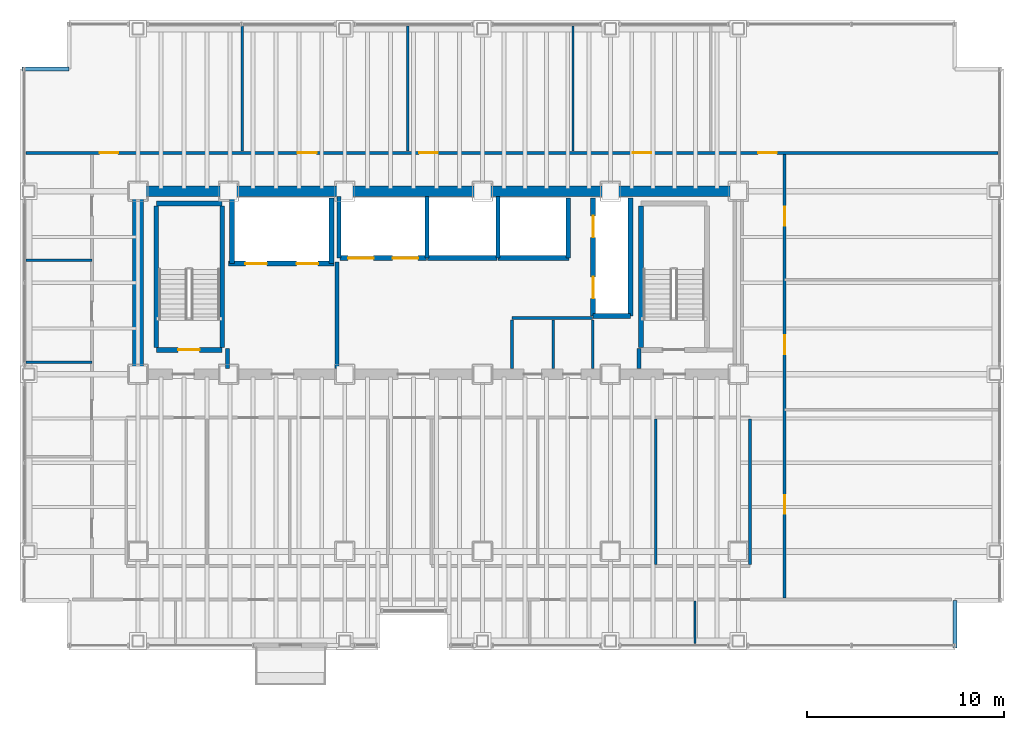
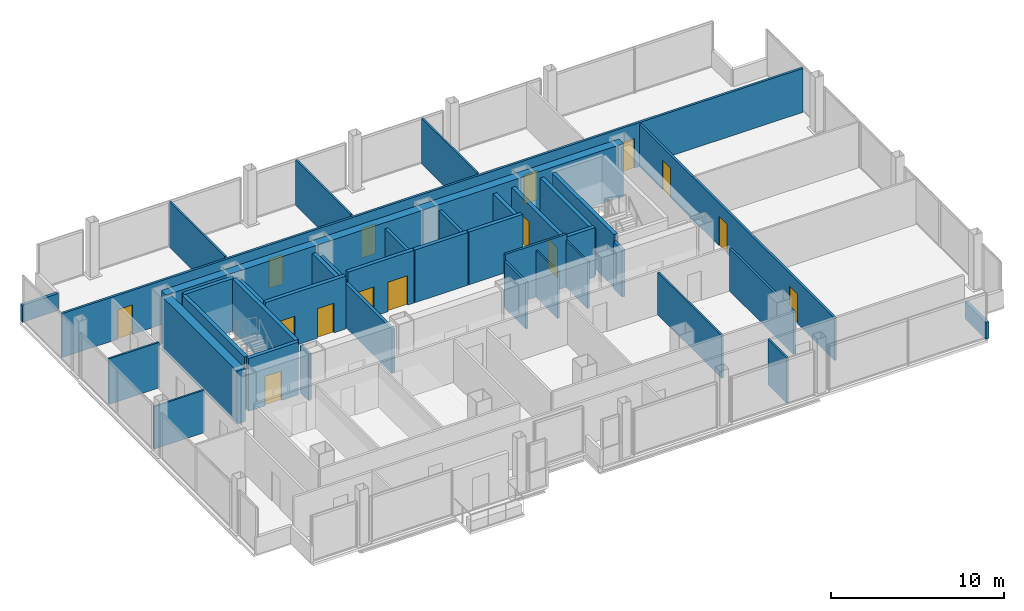
# One storey, part 18 of 20: 39 walls, 15 doors, 15 openings.
"""IFC4 building model written with IfcOpenShell, lengths in metres."""

import ifcopenshell
import ifcopenshell.guid

model = None  # the IFC model being written
_history = None  # IfcOwnerHistory: only IFC2X3 demands one
_inside = {}  # id of a spatial element -> (the spatial element, [elements in it])
_under = {}  # id of a project, library or spatial element -> (it, [spatial elements below it])
_declared = {}  # id of a project -> (the project, [libraries it declares])
_typed = {}  # id of a type object -> (the type object, [elements of that type])
_made_of = {}  # id of a material, layer set ... -> (it, [elements and type objects made of it])


def new_model(schema):
    """Start an empty IFC model of exactly this schema.

    Asked for "IFC4X3", IfcOpenShell would pick the latest addendum, in which some entities
    have other attributes; the version numbers below select the first issue.
    IFC2X3 requires an IfcOwnerHistory on every rooted entity: one is made here for all.
    """
    global model, _history
    if schema == "IFC4X3":
        model = ifcopenshell.file(schema_version=(4, 3, 0, 0))
    else:
        model = ifcopenshell.file(schema=schema)
    _inside.clear()
    _under.clear()
    _declared.clear()
    _typed.clear()
    _made_of.clear()
    _history = None
    if model.schema == "IFC2X3":
        org = make("IfcOrganization", Name="unknown")
        user = make(
            "IfcPersonAndOrganization",
            ThePerson=make("IfcPerson", FamilyName="unknown"),
            TheOrganization=org,
        )
        app = make(
            "IfcApplication",
            ApplicationDeveloper=org,
            Version="unknown",
            ApplicationFullName="unknown",
            ApplicationIdentifier="unknown",
        )
        _history = make(
            "IfcOwnerHistory",
            OwningUser=user,
            OwningApplication=app,
            ChangeAction="ADDED",
            CreationDate=0,
        )
    return model


def make(cls, **values):
    """One entity of the class cls with the attributes given. An attribute that is None is left unset."""
    return model.create_entity(
        cls, **{name: value for name, value in values.items() if value is not None}
    )


def rooted(cls, **values):
    """An entity with a GlobalId (a new one), such as an element, a storey or a relation."""
    return make(cls, GlobalId=ifcopenshell.guid.new(), OwnerHistory=_history, **values)


def si_unit(unit_type, name, prefix=None):
    """IfcSIUnit, for example si_unit("LENGTHUNIT", "METRE", prefix="MILLI")."""
    return make("IfcSIUnit", UnitType=unit_type, Prefix=prefix, Name=name)


def assignment(units):
    """IfcUnitAssignment: the units of a project."""
    return None if units is None else make("IfcUnitAssignment", Units=units)


def point(xyz):
    """IfcCartesianPoint."""
    return None if xyz is None else make("IfcCartesianPoint", Coordinates=xyz)


def direction(xyz):
    """IfcDirection."""
    return None if xyz is None else make("IfcDirection", DirectionRatios=xyz)


def frame(location, z_axis=None, x_axis=None):
    """IfcAxis2Placement3D, a coordinate frame: its origin and axes. An axis left out is left unset."""
    return make(
        "IfcAxis2Placement3D",
        Location=point(location),
        Axis=direction(z_axis),
        RefDirection=direction(x_axis),
    )


def frame_2d(location, x_axis=None):
    """IfcAxis2Placement2D, a coordinate frame in the plane: its origin and x axis."""
    return make(
        "IfcAxis2Placement2D", Location=point(location), RefDirection=direction(x_axis)
    )


def origin():
    """The frame at (0, 0, 0) with its axes left unset."""
    return frame((0.0, 0.0, 0.0))


def place(relative_to, where):
    """IfcLocalPlacement: puts the frame where relative to a parent placement (None: the world)."""
    return make(
        "IfcLocalPlacement", PlacementRelTo=relative_to, RelativePlacement=where
    )


def context(
    kind, dimensions, precision=None, world=None, true_north=None, identifier=None
):
    """IfcGeometricRepresentationContext, for example the 3D "Model" context."""
    return make(
        "IfcGeometricRepresentationContext",
        ContextIdentifier=identifier,
        ContextType=kind,
        CoordinateSpaceDimension=dimensions,
        Precision=precision,
        WorldCoordinateSystem=world,
        TrueNorth=true_north,
    )


def subcontext(parent, identifier, kind, view, scale=None):
    """IfcGeometricRepresentationSubContext, for example "Body" below "Model"."""
    return make(
        "IfcGeometricRepresentationSubContext",
        ContextIdentifier=identifier,
        ContextType=kind,
        ParentContext=parent,
        TargetScale=scale,
        TargetView=view,
    )


def project(units=None, contexts=None):
    """IfcProject with its units and contexts."""
    return rooted(
        "IfcProject",
        Name="project",
        RepresentationContexts=contexts,
        UnitsInContext=assignment(units),
    )


def spatial(cls, under=None, at=None, **own):
    """A site, building, storey or space (cls), placed at a placement, below another one or the project."""
    s = rooted(cls, ObjectPlacement=at, **own)
    if under is not None:
        _under.setdefault(under.id(), (under, []))[1].append(s)
    return s


def profile(cls, at=None, kind="AREA", **sizes):
    """A parametric profile (cls). Its sizes go by their IFC names, for example OverallWidth=200.0."""
    return make(cls, ProfileType=kind, Position=at, **sizes)


def rectangle(**sizes):
    """IfcRectangleProfileDef."""
    return profile("IfcRectangleProfileDef", **sizes)


def extrude(swept, where, along, depth):
    """IfcExtrudedAreaSolid: the profile swept, set in the frame where, extruded along a direction by depth."""
    return make(
        "IfcExtrudedAreaSolid",
        SweptArea=swept,
        Position=where,
        ExtrudedDirection=direction(along),
        Depth=depth,
    )


def shape(context_of_items, identifier, shape_type, items):
    """IfcShapeRepresentation: the items that make up one representation, for example the "Body"."""
    return make(
        "IfcShapeRepresentation",
        ContextOfItems=context_of_items,
        RepresentationIdentifier=identifier,
        RepresentationType=shape_type,
        Items=items,
    )


def material(Name=None, Category=None):
    """IfcMaterial."""
    return make("IfcMaterial", Name=Name, Category=Category)


def layer(
    of_material, thickness, ventilated=None, Name=None, Category=None, Priority=None
):
    """IfcMaterialLayer: one layer of a wall or slab, of a material (None: an air gap)."""
    return make(
        "IfcMaterialLayer",
        Material=of_material,
        LayerThickness=thickness,
        IsVentilated=ventilated,
        Name=Name,
        Category=Category,
        Priority=Priority,
    )


def layer_set(layers, Name=None):
    """IfcMaterialLayerSet."""
    return make("IfcMaterialLayerSet", MaterialLayers=layers, LayerSetName=Name)


def made_of(thing, what):
    """Note that an element or type object is made of a material, layer set ...; save() writes the relation."""
    if what is not None:
        _made_of.setdefault(what.id(), (what, []))[1].append(thing)
    return thing


def type_object(cls, material=None, **own):
    """A type object (cls), such as IfcWallType, which elements share."""
    return made_of(rooted(cls, **own), material)


def element(
    cls,
    number,
    at=None,
    inside=None,
    cuts=None,
    type_object=None,
    material=None,
    context=None,
    identifier="Body",
    shape_type=None,
    held_by="IfcProductDefinitionShape",
    body=None,
    shapes=None,
    **own,
):
    """One element of the class cls, such as IfcWall. Its Tag is "e" and its number.

    at: its placement. inside: the storey or other place that contains it. cuts: it is an
    opening in that element (IfcRelVoidsElement). A single representation is given by context,
    identifier, shape_type and body (its items); several are given by shapes. held_by: the class
    of the entity that holds the representations. save() writes the other relations.
    """
    e = rooted(cls, Tag="e%d" % number, ObjectPlacement=at, **own)
    if body is not None:
        shapes = [shape(context, identifier, shape_type, body)]
    if shapes is not None:
        e.Representation = make(held_by, Representations=shapes)
    if inside is not None:
        _inside.setdefault(inside.id(), (inside, []))[1].append(e)
    if cuts is not None:
        rooted(
            "IfcRelVoidsElement", RelatingBuildingElement=cuts, RelatedOpeningElement=e
        )
    if type_object is not None:
        _typed.setdefault(type_object.id(), (type_object, []))[1].append(e)
    return made_of(e, material)


def fill(opening, filler):
    """IfcRelFillsElement: the door or window that sits in an opening."""
    return rooted(
        "IfcRelFillsElement",
        RelatingOpeningElement=opening,
        RelatedBuildingElement=filler,
    )


def aggregate(whole, parts):
    """IfcRelAggregates: a whole, such as a stair, and the parts it consists of."""
    return rooted("IfcRelAggregates", RelatingObject=whole, RelatedObjects=parts)


def save(model, path):
    """Write the relations noted so far, then the file.

    IfcRelAggregates (storeys below a building ...), IfcRelContainedInSpatialStructure (elements
    in a storey), IfcRelDefinesByType, IfcRelAssociatesMaterial and IfcRelDeclares: one each for
    every whole, place, type object, material and project.
    """
    for whole, parts in _under.values():
        aggregate(whole, parts)
    for where, things in _inside.values():
        rooted(
            "IfcRelContainedInSpatialStructure",
            RelatedElements=things,
            RelatingStructure=where,
        )
    for kind, things in _typed.values():
        rooted("IfcRelDefinesByType", RelatedObjects=things, RelatingType=kind)
    for what, things in _made_of.values():
        rooted("IfcRelAssociatesMaterial", RelatedObjects=things, RelatingMaterial=what)
    for by, libraries in _declared.values():
        rooted("IfcRelDeclares", RelatingContext=by, RelatedDefinitions=libraries)
    model.write(path)


model = new_model("IFC4")

# Units and contexts
model_context = context("Model", 3, precision=1e-05, world=origin(), true_north=direction((0.0, 1.0)))
body_context = subcontext(model_context, "Body", "Model", "MODEL_VIEW")
ifc_project = project(units=[si_unit("LENGTHUNIT", "METRE"), si_unit("AREAUNIT", "SQUARE_METRE"), si_unit("VOLUMEUNIT", "CUBIC_METRE"), si_unit("PLANEANGLEUNIT", "RADIAN"), si_unit("MASSUNIT", "GRAM", prefix="KILO")], contexts=[model_context])

# Site, building, storey
site_placement = place(None, origin())
site = spatial("IfcSite", under=ifc_project, at=site_placement, CompositionType="ELEMENT")
building_placement = place(site_placement, origin())
building = spatial("IfcBuilding", under=site, at=building_placement, Name="Noeulbin Bourse Tower", CompositionType="ELEMENT")
storey_placement = place(building_placement, frame((0.0, 0.0, 61.60009765625)))
storey = spatial("IfcBuildingStorey", under=building, at=storey_placement, Name="L15", CompositionType="ELEMENT", Elevation=61.60009765625)

# Walls
ifc_material_1 = material(Name="Concrete C60/75", Category="concrete")
ifc_layer_1 = layer(ifc_material_1, 0.550048828125)
ifc_layer_set_1 = layer_set([ifc_layer_1], Name="Concrete C60/75")
wall_type_1 = type_object("IfcWallType", Name="WAL-CORE-550", PredefinedType="SHEAR", material=ifc_layer_set_1)
wall_1_placement = place(storey_placement, frame((13.5, 38.300048828125, 0.0), z_axis=(0.0, 0.0, 1.0), x_axis=(1.0, 0.0, 0.0)))
element("IfcWall", 1, at=wall_1_placement, inside=storey, type_object=wall_type_1, Name="Rear Core North Shear Wall L15", PredefinedType="SHEAR", context=body_context, shape_type="SweptSolid", body=[
    extrude(rectangle(XDim=30.5, YDim=0.550048828125, at=frame_2d((15.25, 0.0))), origin(), (0.0, 0.0, 1.0), 3.719970703125),
])
wall_2_placement = place(storey_placement, frame((13.5, 29.35009765625, 0.0), z_axis=(0.0, 0.0, 1.0), x_axis=(0.0, 1.0, 0.0)))
element("IfcWall", 2, at=wall_2_placement, inside=storey, type_object=wall_type_1, Name="Rear Core West Shear Wall L15", PredefinedType="SHEAR", context=body_context, shape_type="SweptSolid", body=[
    extrude(rectangle(XDim=8.599853515625, YDim=0.550048828125, at=frame_2d((4.2998046875, 0.0))), origin(), (0.0, 0.0, 1.0), 3.719970703125),
])
ifc_material_2 = material(Name="Concrete C40/50", Category="concrete")
ifc_layer_2 = layer(ifc_material_2, 0.199951171875)
ifc_layer_set_2 = layer_set([ifc_layer_2], Name="Concrete C40/50")
wall_type_2 = type_object("IfcWallType", Name="WAL-FIRE-200", PredefinedType="STANDARD", material=ifc_layer_set_2)
for number, where, z_axis, x_axis, name in (
    (3, (18.050048828125, 29.284912109375, 0.0), (0.0, 0.0, 1.0), (0.0, 1.0, 0.0), "Interior Partition Wall L15-13"),
    (4, (38.949951171875, 29.284912109375, 0.0), (0.0, 0.0, 1.0), (0.0, 1.0, 0.0), "Interior Partition Wall L15-14"),
):
    element("IfcWall", number, at=place(storey_placement, frame(where, z_axis=z_axis, x_axis=x_axis)), inside=storey, type_object=wall_type_2, Name=name, PredefinedType="STANDARD", context=body_context, shape_type="SweptSolid", body=[
        extrude(rectangle(XDim=1.01513671875, YDim=0.199951171875, at=frame_2d((0.507568359375, 0.0))), origin(), (0.0, 0.0, 1.0), 3.2998046875),
    ])
wall_3_placement = place(storey_placement, frame((23.60009765625, 29.284912109375, 0.0), z_axis=(0.0, 0.0, 1.0), x_axis=(0.0, 1.0, 0.0)))
element("IfcWall", 5, at=wall_3_placement, inside=storey, type_object=wall_type_2, Name="Interior Partition Wall L15-15", PredefinedType="STANDARD", context=body_context, shape_type="SweptSolid", body=[
    extrude(rectangle(XDim=5.4150390625, YDim=0.199951171875, at=frame_2d((2.70751953125, 0.0))), origin(), (0.0, 0.0, 1.0), 3.099853515625),
])
ifc_layer_3 = layer(ifc_material_2, 0.199951171875)
ifc_layer_set_3 = layer_set([ifc_layer_3], Name="Concrete C40/50")
wall_type_3 = type_object("IfcWallType", Name="WAL-PAR-200", PredefinedType="PARAPET", material=ifc_layer_set_3)
for number, where, z_axis, x_axis, name in (
    (6, (55.0, 15.10009765625, 0.0), (0.0, 0.0, 1.0), (0.0, 1.0, 0.0), "Corner Notch Parapet L15-SE1"),
    (7, (7.60009765625, 44.5, 0.0), (0.0, 0.0, 1.0), (1.0, 0.0, 0.0), "Corner Notch Parapet L15-NW1"),
):
    element("IfcWall", number, at=place(storey_placement, frame(where, z_axis=z_axis, x_axis=x_axis)), inside=storey, type_object=wall_type_3, Name=name, PredefinedType="PARAPET", context=body_context, shape_type="SweptSolid", body=[
        extrude(rectangle(XDim=2.39990234375, YDim=0.199951171875, at=frame_2d((1.199951171875, 0.0))), origin(), (0.0, 0.0, 1.0), 1.199951171875),
    ])
ifc_material_3 = material(Name="Steel Stud Gypsum Partition", Category="steel")
ifc_layer_4 = layer(ifc_material_3, 0.1201171875)
ifc_layer_set_4 = layer_set([ifc_layer_4], Name="Steel Stud Gypsum Partition")
wall_type_4 = type_object("IfcWallType", Name="WAL-PRT-120", PredefinedType="PARTITIONING", material=ifc_layer_set_4)
wall_4_placement = place(storey_placement, frame((7.81005859375, 29.60009765625, 0.0), z_axis=(0.0, 0.0, 1.0), x_axis=(1.0, 0.0, 0.0)))
element("IfcWall", 8, at=wall_4_placement, inside=storey, type_object=wall_type_4, Name="Interior Partition Wall L15-08", PredefinedType="PARTITIONING", context=body_context, shape_type="SweptSolid", body=[
    extrude(rectangle(XDim=3.33984375, YDim=0.1201171875, at=frame_2d((1.669921875, 0.0))), origin(), (0.0, 0.0, 1.0), 3.0),
])
wall_5_placement = place(storey_placement, frame((7.81005859375, 34.800048828125, 0.0), z_axis=(0.0, 0.0, 1.0), x_axis=(1.0, 0.0, 0.0)))
element("IfcWall", 9, at=wall_5_placement, inside=storey, type_object=wall_type_4, Name="Interior Partition Wall L15-09", PredefinedType="PARTITIONING", context=body_context, shape_type="SweptSolid", body=[
    extrude(rectangle(XDim=3.33984375, YDim=0.1201171875, at=frame_2d((1.669921875, 0.0))), origin(), (0.0, 0.0, 1.0), 3.2119140625),
])
for number, where, z_axis, x_axis, name in (
    (10, (36.60009765625, 29.284912109375, 0.0), (0.0, 0.0, 1.0), (0.0, 1.0, 0.0), "Interior Partition Wall L15-17"),
    (11, (34.60009765625, 29.284912109375, 0.0), (0.0, 0.0, 1.0), (0.0, 1.0, 0.0), "Interior Partition Wall L15-18"),
):
    element("IfcWall", number, at=place(storey_placement, frame(where, z_axis=z_axis, x_axis=x_axis)), inside=storey, type_object=wall_type_4, Name=name, PredefinedType="PARTITIONING", context=body_context, shape_type="SweptSolid", body=[
        extrude(rectangle(XDim=2.47998046875, YDim=0.1201171875, at=frame_2d((1.239990234375, 0.0))), origin(), (0.0, 0.0, 1.0), 3.2998046875),
    ])
wall_6_placement = place(storey_placement, frame((41.800048828125, 15.31005859375, 0.0), z_axis=(0.0, 0.0, 1.0), x_axis=(0.0, 1.0, 0.0)))
element("IfcWall", 12, at=wall_6_placement, inside=storey, type_object=wall_type_4, Name="Interior Partition Wall L15-27", PredefinedType="PARTITIONING", context=body_context, shape_type="SweptSolid", body=[
    extrude(rectangle(XDim=2.155029296875, YDim=0.1201171875, at=frame_2d((1.07763671875, 0.0))), origin(), (0.0, 0.0, 1.0), 3.2119140625),
])
wall_7_placement = place(storey_placement, frame((39.800048828125, 19.3349609375, 0.0), z_axis=(0.0, 0.0, 1.0), x_axis=(0.0, 1.0, 0.0)))
element("IfcWall", 13, at=wall_7_placement, inside=storey, type_object=wall_type_4, Name="Interior Partition Wall L15-31", PredefinedType="PARTITIONING", context=body_context, shape_type="SweptSolid", body=[
    extrude(rectangle(XDim=7.380126953125, YDim=0.1201171875, at=frame_2d((3.68994140625, 0.0))), origin(), (0.0, 0.0, 1.0), 3.0),
])
for number, where, z_axis, x_axis, name in (
    (14, (18.800048828125, 40.3349609375, 0.0), (0.0, 0.0, 1.0), (0.0, 1.0, 0.0), "Interior Partition Wall L15-32"),
    (15, (27.199951171875, 40.3349609375, 0.0), (0.0, 0.0, 1.0), (0.0, 1.0, 0.0), "Interior Partition Wall L15-33"),
    (16, (35.60009765625, 40.3349609375, 0.0), (0.0, 0.0, 1.0), (0.0, 1.0, 0.0), "Interior Partition Wall L15-34"),
):
    element("IfcWall", number, at=place(storey_placement, frame(where, z_axis=z_axis, x_axis=x_axis)), inside=storey, type_object=wall_type_4, Name=name, PredefinedType="PARTITIONING", context=body_context, shape_type="SweptSolid", body=[
        extrude(rectangle(XDim=6.35498046875, YDim=0.1201171875, at=frame_2d((3.177490234375, 0.0))), origin(), (0.0, 0.0, 1.0), 3.2119140625),
    ])
ifc_material_4 = material(Name="Steel Stud Acoustic Gypsum Board", Category="steel")
ifc_layer_5 = layer(ifc_material_4, 0.14990234375)
ifc_layer_set_5 = layer_set([ifc_layer_5], Name="Steel Stud Acoustic Gypsum Board")
wall_type_5 = type_object("IfcWallType", Name="WAL-PRT-150", PredefinedType="PARTITIONING", material=ifc_layer_set_5)
wall_8_placement = place(storey_placement, frame((32.5, 31.85009765625, 0.0), z_axis=(0.0, 0.0, 1.0), x_axis=(1.0, 0.0, 0.0)))
element("IfcWall", 17, at=wall_8_placement, inside=storey, type_object=wall_type_5, Name="Interior Partition Wall L15-02", PredefinedType="PARTITIONING", context=body_context, shape_type="SweptSolid", body=[
    extrude(rectangle(XDim=4.10009765625, YDim=0.14990234375, at=frame_2d((2.050048828125, 0.0))), origin(), (0.0, 0.0, 1.0), 3.719970703125),
])

# Wall, openings, doors
wall_9_placement = place(storey_placement, frame((7.81005859375, 40.25, 0.0), z_axis=(0.0, 0.0, 1.0), x_axis=(1.0, 0.0, 0.0)))
wall_9 = element("IfcWall", 18, at=wall_9_placement, inside=storey, type_object=wall_type_5, Name="Interior Partition Wall L15-12", PredefinedType="PARTITIONING", context=body_context, shape_type="SweptSolid", body=[
    extrude(rectangle(XDim=49.3798828125, YDim=0.14990234375, at=frame_2d((24.68994140625, 0.0))), origin(), (0.0, 0.0, 1.0), 3.099853515625),
])
opening_1_placement = place(wall_9_placement, frame((3.72998046875, 0.0, 0.0)))
opening_1 = element("IfcOpeningElement", 19, at=opening_1_placement, cuts=wall_9, Name="Opening ID-09", PredefinedType="OPENING", context=body_context, shape_type="SweptSolid", body=[
    extrude(rectangle(XDim=0.949951171875, YDim=2.080078125, at=frame_2d((0.47509765625, 1.0400390625))), frame((0.0, 0.0849609375, 0.0), z_axis=(0.0, -1.0, 0.0), x_axis=(1.0, 0.0, 0.0)), (0.0, 0.0, 1.0), 0.169921875),
])
opening_2_placement = place(wall_9_placement, frame((13.81494140625, 0.0, 0.0)))
opening_2 = element("IfcOpeningElement", 20, at=opening_2_placement, cuts=wall_9, Name="Opening ID-09", PredefinedType="OPENING", context=body_context, shape_type="SweptSolid", body=[
    extrude(rectangle(XDim=0.949951171875, YDim=2.080078125, at=frame_2d((0.47509765625, 1.0400390625))), frame((0.0, 0.0849609375, 0.0), z_axis=(0.0, -1.0, 0.0), x_axis=(1.0, 0.0, 0.0)), (0.0, 0.0, 1.0), 0.169921875),
])
opening_3_placement = place(wall_9_placement, frame((19.965087890625, 0.0, 0.0)))
opening_3 = element("IfcOpeningElement", 21, at=opening_3_placement, cuts=wall_9, Name="Opening ID-09", PredefinedType="OPENING", context=body_context, shape_type="SweptSolid", body=[
    extrude(rectangle(XDim=0.949951171875, YDim=2.080078125, at=frame_2d((0.47509765625, 1.0400390625))), frame((0.0, 0.0849609375, 0.0), z_axis=(0.0, -1.0, 0.0), x_axis=(1.0, 0.0, 0.0)), (0.0, 0.0, 1.0), 0.169921875),
])
opening_4_placement = place(wall_9_placement, frame((30.81494140625, 0.0, 0.0)))
opening_4 = element("IfcOpeningElement", 22, at=opening_4_placement, cuts=wall_9, Name="Opening ID-09", PredefinedType="OPENING", context=body_context, shape_type="SweptSolid", body=[
    extrude(rectangle(XDim=0.949951171875, YDim=2.080078125, at=frame_2d((0.47509765625, 1.0400390625))), frame((0.0, 0.0849609375, 0.0), z_axis=(0.0, -1.0, 0.0), x_axis=(1.0, 0.0, 0.0)), (0.0, 0.0, 1.0), 0.169921875),
])
opening_5_placement = place(wall_9_placement, frame((37.199951171875, 0.0, 0.0)))
opening_5 = element("IfcOpeningElement", 23, at=opening_5_placement, cuts=wall_9, Name="Opening ID-09", PredefinedType="OPENING", context=body_context, shape_type="SweptSolid", body=[
    extrude(rectangle(XDim=0.949951171875, YDim=2.080078125, at=frame_2d((0.47509765625, 1.0400390625))), frame((0.0, 0.0849609375, 0.0), z_axis=(0.0, -1.0, 0.0), x_axis=(1.0, 0.0, 0.0)), (0.0, 0.0, 1.0), 0.169921875),
])
ifc_material_5 = material(Name="Acoustic Solid-Core Timber", Category="wood")
door_type_1 = type_object("IfcDoorType", Name="DR-SINGLE-950", OperationType="SINGLE_SWING_LEFT", PredefinedType="DOOR", material=ifc_material_5)
door_1_placement = place(opening_1_placement, origin())
door_1 = element("IfcDoor", 24, at=door_1_placement, inside=storey, type_object=door_type_1, Name="Interior Door L15-25", OperationType="SINGLE_SWING_LEFT", OverallHeight=2.080078125, OverallWidth=0.949951171875, PredefinedType="DOOR", context=body_context, shape_type="SweptSolid", body=[
    extrude(rectangle(XDim=0.949951171875, YDim=2.080078125, at=frame_2d((0.47509765625, 1.0400390625))), frame((0.0, 0.02490234375, 0.0), z_axis=(0.0, -1.0, 0.0), x_axis=(1.0, 0.0, 0.0)), (0.0, 0.0, 1.0), 0.050048828125),
])
fill(opening_1, door_1)
door_2_placement = place(opening_2_placement, origin())
door_2 = element("IfcDoor", 25, at=door_2_placement, inside=storey, type_object=door_type_1, Name="Interior Door L15-26", OperationType="SINGLE_SWING_RIGHT", OverallHeight=2.080078125, OverallWidth=0.949951171875, PredefinedType="DOOR", context=body_context, shape_type="SweptSolid", body=[
    extrude(rectangle(XDim=0.949951171875, YDim=2.080078125, at=frame_2d((0.47509765625, 1.0400390625))), frame((0.0, 0.02490234375, 0.0), z_axis=(0.0, -1.0, 0.0), x_axis=(1.0, 0.0, 0.0)), (0.0, 0.0, 1.0), 0.050048828125),
])
fill(opening_2, door_2)
door_3_placement = place(opening_3_placement, origin())
door_3 = element("IfcDoor", 26, at=door_3_placement, inside=storey, type_object=door_type_1, Name="Interior Door L15-27", OperationType="SINGLE_SWING_LEFT", OverallHeight=2.080078125, OverallWidth=0.949951171875, PredefinedType="DOOR", context=body_context, shape_type="SweptSolid", body=[
    extrude(rectangle(XDim=0.949951171875, YDim=2.080078125, at=frame_2d((0.47509765625, 1.0400390625))), frame((0.0, 0.02490234375, 0.0), z_axis=(0.0, -1.0, 0.0), x_axis=(1.0, 0.0, 0.0)), (0.0, 0.0, 1.0), 0.050048828125),
])
fill(opening_3, door_3)
door_4_placement = place(opening_4_placement, origin())
door_4 = element("IfcDoor", 27, at=door_4_placement, inside=storey, type_object=door_type_1, Name="Interior Door L15-28", OperationType="SINGLE_SWING_RIGHT", OverallHeight=2.080078125, OverallWidth=0.949951171875, PredefinedType="DOOR", context=body_context, shape_type="SweptSolid", body=[
    extrude(rectangle(XDim=0.949951171875, YDim=2.080078125, at=frame_2d((0.47509765625, 1.0400390625))), frame((0.0, 0.02490234375, 0.0), z_axis=(0.0, -1.0, 0.0), x_axis=(1.0, 0.0, 0.0)), (0.0, 0.0, 1.0), 0.050048828125),
])
fill(opening_4, door_4)
door_5_placement = place(opening_5_placement, origin())
door_5 = element("IfcDoor", 28, at=door_5_placement, inside=storey, type_object=door_type_1, Name="Interior Door L15-29", OperationType="SINGLE_SWING_LEFT", OverallHeight=2.080078125, OverallWidth=0.949951171875, PredefinedType="DOOR", context=body_context, shape_type="SweptSolid", body=[
    extrude(rectangle(XDim=0.949951171875, YDim=2.080078125, at=frame_2d((0.47509765625, 1.0400390625))), frame((0.0, 0.02490234375, 0.0), z_axis=(0.0, -1.0, 0.0), x_axis=(1.0, 0.0, 0.0)), (0.0, 0.0, 1.0), 0.050048828125),
])
fill(opening_5, door_5)

# Wall
wall_10_placement = place(storey_placement, frame((32.5, 29.284912109375, 0.0), z_axis=(0.0, 0.0, 1.0), x_axis=(0.0, 1.0, 0.0)))
element("IfcWall", 29, at=wall_10_placement, inside=storey, type_object=wall_type_5, Name="Interior Partition Wall L15-16", PredefinedType="PARTITIONING", context=body_context, shape_type="SweptSolid", body=[
    extrude(rectangle(XDim=2.47998046875, YDim=0.14990234375, at=frame_2d((1.239990234375, 0.0))), origin(), (0.0, 0.0, 1.0), 3.2998046875),
])

# Wall, openings, doors
wall_11_placement = place(storey_placement, frame((46.35009765625, 17.635009765625, 0.0), z_axis=(0.0, 0.0, 1.0), x_axis=(0.0, 1.0, 0.0)))
wall_11 = element("IfcWall", 30, at=wall_11_placement, inside=storey, type_object=wall_type_5, Name="Interior Partition Wall L15-23", PredefinedType="PARTITIONING", context=body_context, shape_type="SweptSolid", body=[
    extrude(rectangle(XDim=22.530029296875, YDim=0.14990234375, at=frame_2d((11.26513671875, 0.0))), origin(), (0.0, 0.0, 1.0), 3.0),
])
opening_6_placement = place(wall_11_placement, frame((4.264892578125, 0.0, 0.0)))
opening_6 = element("IfcOpeningElement", 31, at=opening_6_placement, cuts=wall_11, Name="Opening ID-09", PredefinedType="OPENING", context=body_context, shape_type="SweptSolid", body=[
    extrude(rectangle(XDim=0.949951171875, YDim=2.080078125, at=frame_2d((0.47509765625, 1.0400390625))), frame((0.0, 0.0849609375, 0.0), z_axis=(0.0, -1.0, 0.0), x_axis=(1.0, 0.0, 0.0)), (0.0, 0.0, 1.0), 0.169921875),
])
opening_7_placement = place(wall_11_placement, frame((12.389892578125, 0.0, 0.0)))
opening_7 = element("IfcOpeningElement", 32, at=opening_7_placement, cuts=wall_11, Name="Opening ID-09", PredefinedType="OPENING", context=body_context, shape_type="SweptSolid", body=[
    extrude(rectangle(XDim=0.949951171875, YDim=2.080078125, at=frame_2d((0.47509765625, 1.0400390625))), frame((0.0, 0.0849609375, 0.0), z_axis=(0.0, -1.0, 0.0), x_axis=(1.0, 0.0, 0.0)), (0.0, 0.0, 1.0), 0.169921875),
])
opening_8_placement = place(wall_11_placement, frame((18.9150390625, 0.0, 0.0)))
opening_8 = element("IfcOpeningElement", 33, at=opening_8_placement, cuts=wall_11, Name="Opening ID-09", PredefinedType="OPENING", context=body_context, shape_type="SweptSolid", body=[
    extrude(rectangle(XDim=0.949951171875, YDim=2.080078125, at=frame_2d((0.47509765625, 1.0400390625))), frame((0.0, 0.0849609375, 0.0), z_axis=(0.0, -1.0, 0.0), x_axis=(1.0, 0.0, 0.0)), (0.0, 0.0, 1.0), 0.169921875),
])
door_6_placement = place(opening_6_placement, origin())
door_6 = element("IfcDoor", 34, at=door_6_placement, inside=storey, type_object=door_type_1, Name="Interior Door L15-22", OperationType="SINGLE_SWING_RIGHT", OverallHeight=2.080078125, OverallWidth=0.949951171875, PredefinedType="DOOR", context=body_context, shape_type="SweptSolid", body=[
    extrude(rectangle(XDim=0.949951171875, YDim=2.080078125, at=frame_2d((0.47509765625, 1.0400390625))), frame((0.0, 0.02490234375, 0.0), z_axis=(0.0, -1.0, 0.0), x_axis=(1.0, 0.0, 0.0)), (0.0, 0.0, 1.0), 0.050048828125),
])
fill(opening_6, door_6)
door_7_placement = place(opening_7_placement, origin())
door_7 = element("IfcDoor", 35, at=door_7_placement, inside=storey, type_object=door_type_1, Name="Interior Door L15-23", OperationType="SINGLE_SWING_LEFT", OverallHeight=2.080078125, OverallWidth=0.949951171875, PredefinedType="DOOR", context=body_context, shape_type="SweptSolid", body=[
    extrude(rectangle(XDim=0.949951171875, YDim=2.080078125, at=frame_2d((0.47509765625, 1.0400390625))), frame((0.0, 0.02490234375, 0.0), z_axis=(0.0, -1.0, 0.0), x_axis=(1.0, 0.0, 0.0)), (0.0, 0.0, 1.0), 0.050048828125),
])
fill(opening_7, door_7)
door_8_placement = place(opening_8_placement, origin())
door_8 = element("IfcDoor", 36, at=door_8_placement, inside=storey, type_object=door_type_1, Name="Interior Door L15-24", OperationType="SINGLE_SWING_RIGHT", OverallHeight=2.080078125, OverallWidth=0.949951171875, PredefinedType="DOOR", context=body_context, shape_type="SweptSolid", body=[
    extrude(rectangle(XDim=0.949951171875, YDim=2.080078125, at=frame_2d((0.47509765625, 1.0400390625))), frame((0.0, 0.02490234375, 0.0), z_axis=(0.0, -1.0, 0.0), x_axis=(1.0, 0.0, 0.0)), (0.0, 0.0, 1.0), 0.050048828125),
])
fill(opening_8, door_8)

# Wall
wall_12_placement = place(storey_placement, frame((44.60009765625, 19.3349609375, 0.0), z_axis=(0.0, 0.0, 1.0), x_axis=(0.0, 1.0, 0.0)))
element("IfcWall", 37, at=wall_12_placement, inside=storey, type_object=wall_type_5, Name="Interior Partition Wall L15-24", PredefinedType="PARTITIONING", context=body_context, shape_type="SweptSolid", body=[
    extrude(rectangle(XDim=7.380126953125, YDim=0.14990234375, at=frame_2d((3.68994140625, 0.0))), origin(), (0.0, 0.0, 1.0), 3.0),
])

# Wall, opening, door
ifc_layer_6 = layer(ifc_material_2, 0.25)
ifc_layer_set_6 = layer_set([ifc_layer_6], Name="Concrete C40/50")
wall_type_6 = type_object("IfcWallType", Name="WAL-SHFT-250", PredefinedType="STANDARD", material=ifc_layer_set_6)
wall_13_placement = place(storey_placement, frame((14.429931640625, 30.235107421875, 0.0), z_axis=(0.0, 0.0, 1.0), x_axis=(1.0, 0.0, 0.0)))
wall_13 = element("IfcWall", 38, at=wall_13_placement, inside=storey, type_object=wall_type_6, Name="Stair ST-1 South Shaft Wall L15", PredefinedType="STANDARD", context=body_context, shape_type="SweptSolid", body=[
    extrude(rectangle(XDim=3.340087890625, YDim=0.25, at=frame_2d((1.669921875, 0.0))), origin(), (0.0, 0.0, 1.0), 3.719970703125),
])
opening_9_placement = place(wall_13_placement, frame((1.10009765625, 0.0, 0.0)))
opening_9 = element("IfcOpeningElement", 39, at=opening_9_placement, cuts=wall_13, Name="Opening FD-11", PredefinedType="OPENING", context=body_context, shape_type="SweptSolid", body=[
    extrude(rectangle(XDim=1.10009765625, YDim=2.080078125, at=frame_2d((0.550048828125, 1.0400390625))), frame((0.0, 0.135009765625, 0.0), z_axis=(0.0, -1.0, 0.0), x_axis=(1.0, 0.0, 0.0)), (0.0, 0.0, 1.0), 0.27001953125),
])
ifc_material_6 = material(Name="Fire-Rated Insulated Steel", Category="steel")
door_type_2 = type_object("IfcDoorType", Name="DR-FD60-1100", OperationType="SINGLE_SWING_LEFT", PredefinedType="DOOR", material=ifc_material_6)
door_9_placement = place(opening_9_placement, origin())
door_9 = element("IfcDoor", 40, at=door_9_placement, inside=storey, type_object=door_type_2, Name="Protected Stair Entry Door ST1-L15", OperationType="SINGLE_SWING_LEFT", OverallHeight=2.080078125, OverallWidth=1.10009765625, PredefinedType="DOOR", context=body_context, shape_type="SweptSolid", body=[
    extrude(rectangle(XDim=1.10009765625, YDim=2.080078125, at=frame_2d((0.550048828125, 1.0400390625))), frame((0.0, 0.02490234375, 0.0), z_axis=(0.0, -1.0, 0.0), x_axis=(1.0, 0.0, 0.0)), (0.0, 0.0, 1.0), 0.050048828125),
])
fill(opening_9, door_9)

# Walls
wall_14_placement = place(storey_placement, frame((14.429931640625, 37.6689453125, 0.0), z_axis=(0.0, 0.0, 1.0), x_axis=(1.0, 0.0, 0.0)))
element("IfcWall", 41, at=wall_14_placement, inside=storey, type_object=wall_type_6, Name="Stair ST-1 North Shaft Wall L15", PredefinedType="STANDARD", context=body_context, shape_type="SweptSolid", body=[
    extrude(rectangle(XDim=3.340087890625, YDim=0.25, at=frame_2d((1.669921875, 0.0))), origin(), (0.0, 0.0, 1.0), 3.719970703125),
])
for number, where, z_axis, x_axis, name in (
    (42, (14.425048828125, 30.360107421875, 0.0), (0.0, 0.0, 1.0), (0.0, 1.0, 0.0), "Stair ST-1 West Shaft Wall L15"),
    (43, (17.77490234375, 30.360107421875, 0.0), (0.0, 0.0, 1.0), (0.0, 1.0, 0.0), "Stair ST-1 East Shaft Wall L15"),
    (44, (39.054931640625, 30.360107421875, 0.0), (0.0, 0.0, 1.0), (0.0, 1.0, 0.0), "Stair ST-2 West Shaft Wall L15"),
):
    element("IfcWall", number, at=place(storey_placement, frame(where, z_axis=z_axis, x_axis=x_axis)), inside=storey, type_object=wall_type_6, Name=name, PredefinedType="STANDARD", context=body_context, shape_type="SweptSolid", body=[
        extrude(rectangle(XDim=7.183837890625, YDim=0.25, at=frame_2d((3.591796875, 0.0))), origin(), (0.0, 0.0, 1.0), 3.719970703125),
    ])

# Wall, openings, doors
wall_15_placement = place(storey_placement, frame((18.10009765625, 34.6201171875, 0.0), z_axis=(0.0, 0.0, 1.0), x_axis=(1.0, 0.0, 0.0)))
wall_15 = element("IfcWall", 45, at=wall_15_placement, inside=storey, type_object=wall_type_6, Name="Firefighting Lift Shaft Front L15", PredefinedType="STANDARD", context=body_context, shape_type="SweptSolid", body=[
    extrude(rectangle(XDim=5.349853515625, YDim=0.25, at=frame_2d((2.6748046875, 0.0))), origin(), (0.0, 0.0, 1.0), 3.719970703125),
])
opening_10_placement = place(wall_15_placement, frame((0.85009765625, 0.0, 0.0)))
opening_10 = element("IfcOpeningElement", 46, at=opening_10_placement, cuts=wall_15, Name="Opening LD-11", PredefinedType="OPENING", context=body_context, shape_type="SweptSolid", body=[
    extrude(rectangle(XDim=1.10009765625, YDim=2.080078125, at=frame_2d((0.550048828125, 1.0400390625))), frame((0.0, 0.135009765625, 0.0), z_axis=(0.0, -1.0, 0.0), x_axis=(1.0, 0.0, 0.0)), (0.0, 0.0, 1.0), 0.27001953125),
])
opening_11_placement = place(wall_15_placement, frame((3.449951171875, 0.0, 0.0)))
opening_11 = element("IfcOpeningElement", 47, at=opening_11_placement, cuts=wall_15, Name="Opening LD-11", PredefinedType="OPENING", context=body_context, shape_type="SweptSolid", body=[
    extrude(rectangle(XDim=1.10009765625, YDim=2.080078125, at=frame_2d((0.550048828125, 1.0400390625))), frame((0.0, 0.135009765625, 0.0), z_axis=(0.0, -1.0, 0.0), x_axis=(1.0, 0.0, 0.0)), (0.0, 0.0, 1.0), 0.27001953125),
])
ifc_material_7 = material(Name="Brushed Stainless Steel 316", Category="steel")
door_type_3 = type_object("IfcDoorType", Name="DR-LIFT-1100", OperationType="SLIDING_TO_LEFT", PredefinedType="DOOR", material=ifc_material_7)
door_10_placement = place(opening_10_placement, origin())
door_10 = element("IfcDoor", 48, at=door_10_placement, inside=storey, type_object=door_type_3, Name="Lift Landing Door LD-FL-01-L15", OperationType="SLIDING_TO_LEFT", OverallHeight=2.080078125, OverallWidth=1.10009765625, PredefinedType="DOOR", context=body_context, shape_type="SweptSolid", body=[
    extrude(rectangle(XDim=1.10009765625, YDim=2.080078125, at=frame_2d((0.550048828125, 1.0400390625))), frame((0.0, 0.02490234375, 0.0), z_axis=(0.0, -1.0, 0.0), x_axis=(1.0, 0.0, 0.0)), (0.0, 0.0, 1.0), 0.050048828125),
])
fill(opening_10, door_10)
door_11_placement = place(opening_11_placement, origin())
door_11 = element("IfcDoor", 49, at=door_11_placement, inside=storey, type_object=door_type_3, Name="Lift Landing Door LD-FL-02-L15", OperationType="SLIDING_TO_LEFT", OverallHeight=2.080078125, OverallWidth=1.10009765625, PredefinedType="DOOR", context=body_context, shape_type="SweptSolid", body=[
    extrude(rectangle(XDim=1.10009765625, YDim=2.080078125, at=frame_2d((0.550048828125, 1.0400390625))), frame((0.0, 0.02490234375, 0.0), z_axis=(0.0, -1.0, 0.0), x_axis=(1.0, 0.0, 0.0)), (0.0, 0.0, 1.0), 0.050048828125),
])
fill(opening_11, door_11)

wall_16_placement = place(storey_placement, frame((36.6201171875, 31.949951171875, 0.0), z_axis=(0.0, 0.0, 1.0), x_axis=(0.0, 1.0, 0.0)))
wall_16 = element("IfcWall", 50, at=wall_16_placement, inside=storey, type_object=wall_type_6, Name="Service Lift Shaft Wall L15", PredefinedType="STANDARD", context=body_context, shape_type="SweptSolid", body=[
    extrude(rectangle(XDim=6.0, YDim=0.25, at=frame_2d((3.0, 0.0))), origin(), (0.0, 0.0, 1.0), 3.2998046875),
])
opening_12_placement = place(wall_16_placement, frame((0.89990234375, 0.0, 0.0)))
opening_12 = element("IfcOpeningElement", 51, at=opening_12_placement, cuts=wall_16, Name="Opening LD-11", PredefinedType="OPENING", context=body_context, shape_type="SweptSolid", body=[
    extrude(rectangle(XDim=1.10009765625, YDim=2.080078125, at=frame_2d((0.550048828125, 1.0400390625))), frame((0.0, 0.135009765625, 0.0), z_axis=(0.0, -1.0, 0.0), x_axis=(1.0, 0.0, 0.0)), (0.0, 0.0, 1.0), 0.27001953125),
])
opening_13_placement = place(wall_16_placement, frame((4.0, 0.0, 0.0)))
opening_13 = element("IfcOpeningElement", 52, at=opening_13_placement, cuts=wall_16, Name="Opening LD-11", PredefinedType="OPENING", context=body_context, shape_type="SweptSolid", body=[
    extrude(rectangle(XDim=1.10009765625, YDim=2.080078125, at=frame_2d((0.550048828125, 1.0400390625))), frame((0.0, 0.135009765625, 0.0), z_axis=(0.0, -1.0, 0.0), x_axis=(1.0, 0.0, 0.0)), (0.0, 0.0, 1.0), 0.27001953125),
])
door_12_placement = place(opening_12_placement, origin())
door_12 = element("IfcDoor", 53, at=door_12_placement, inside=storey, type_object=door_type_3, Name="Lift Landing Door LD-EL-01-L15", OperationType="SLIDING_TO_LEFT", OverallHeight=2.080078125, OverallWidth=1.10009765625, PredefinedType="DOOR", context=body_context, shape_type="SweptSolid", body=[
    extrude(rectangle(XDim=1.10009765625, YDim=2.080078125, at=frame_2d((0.550048828125, 1.0400390625))), frame((0.0, 0.02490234375, 0.0), z_axis=(0.0, -1.0, 0.0), x_axis=(1.0, 0.0, 0.0)), (0.0, 0.0, 1.0), 0.050048828125),
])
fill(opening_12, door_12)
door_13_placement = place(opening_13_placement, origin())
door_13 = element("IfcDoor", 54, at=door_13_placement, inside=storey, type_object=door_type_3, Name="Lift Landing Door LD-SV-01-L15", OperationType="SLIDING_TO_LEFT", OverallHeight=2.080078125, OverallWidth=1.10009765625, PredefinedType="DOOR", context=body_context, shape_type="SweptSolid", body=[
    extrude(rectangle(XDim=1.10009765625, YDim=2.080078125, at=frame_2d((0.550048828125, 1.0400390625))), frame((0.0, 0.02490234375, 0.0), z_axis=(0.0, -1.0, 0.0), x_axis=(1.0, 0.0, 0.0)), (0.0, 0.0, 1.0), 0.050048828125),
])
fill(opening_13, door_13)

# Walls
wall_17_placement = place(storey_placement, frame((38.52001953125, 31.949951171875, 0.0), z_axis=(0.0, 0.0, 1.0), x_axis=(0.0, 1.0, 0.0)))
element("IfcWall", 55, at=wall_17_placement, inside=storey, type_object=wall_type_6, Name="Service Lift East Shaft Wall L15", PredefinedType="STANDARD", context=body_context, shape_type="SweptSolid", body=[
    extrude(rectangle(XDim=6.0, YDim=0.25, at=frame_2d((3.0, 0.0))), origin(), (0.0, 0.0, 1.0), 3.2998046875),
])
wall_18_placement = place(storey_placement, frame((36.6201171875, 31.949951171875, 0.0), z_axis=(0.0, 0.0, 1.0), x_axis=(1.0, 0.0, 0.0)))
element("IfcWall", 56, at=wall_18_placement, inside=storey, type_object=wall_type_6, Name="Service Lift South Shaft Wall L15", PredefinedType="STANDARD", context=body_context, shape_type="SweptSolid", body=[
    extrude(rectangle(XDim=1.89990234375, YDim=0.25, at=frame_2d((0.949951171875, 0.0))), origin(), (0.0, 0.0, 1.0), 3.47998046875),
])
for number, where, z_axis, x_axis, name in (
    (57, (18.280029296875, 34.6201171875, 0.0), (0.0, 0.0, 1.0), (0.0, 1.0, 0.0), "Firefighting Lift West Shaft Wall L15"),
    (58, (23.320068359375, 34.6201171875, 0.0), (0.0, 0.0, 1.0), (0.0, 1.0, 0.0), "Firefighting Lift East Shaft Wall L15"),
):
    element("IfcWall", number, at=place(storey_placement, frame(where, z_axis=z_axis, x_axis=x_axis)), inside=storey, type_object=wall_type_6, Name=name, PredefinedType="STANDARD", context=body_context, shape_type="SweptSolid", body=[
        extrude(rectangle(XDim=3.329833984375, YDim=0.25, at=frame_2d((1.6650390625, 0.0))), origin(), (0.0, 0.0, 1.0), 3.2998046875),
    ])
wall_19_placement = place(storey_placement, frame((35.360107421875, 34.89990234375, 0.0), z_axis=(0.0, 0.0, 1.0), x_axis=(0.0, 1.0, 0.0)))
element("IfcWall", 59, at=wall_19_placement, inside=storey, type_object=wall_type_6, Name="High-Rise Lift East Shaft Wall L15", PredefinedType="STANDARD", context=body_context, shape_type="SweptSolid", body=[
    extrude(rectangle(XDim=3.050048828125, YDim=0.25, at=frame_2d((1.52490234375, 0.0))), origin(), (0.0, 0.0, 1.0), 3.2998046875),
])

# Wall, openings, doors
wall_20_placement = place(storey_placement, frame((23.75, 34.89990234375, 0.0), z_axis=(0.0, 0.0, 1.0), x_axis=(1.0, 0.0, 0.0)))
wall_20 = element("IfcWall", 60, at=wall_20_placement, inside=storey, type_object=wall_type_6, Name="Low-Rise Lift Bank Front L15", PredefinedType="STANDARD", context=body_context, shape_type="SweptSolid", body=[
    extrude(rectangle(XDim=4.39990234375, YDim=0.25, at=frame_2d((2.199951171875, 0.0))), origin(), (0.0, 0.0, 1.0), 3.719970703125),
])
opening_14_placement = place(wall_20_placement, frame((0.419921875, 0.0, 0.0)))
opening_14 = element("IfcOpeningElement", 61, at=opening_14_placement, cuts=wall_20, Name="Opening LD-13", PredefinedType="OPENING", context=body_context, shape_type="SweptSolid", body=[
    extrude(rectangle(XDim=1.300048828125, YDim=2.080078125, at=frame_2d((0.64990234375, 1.0400390625))), frame((0.0, 0.135009765625, 0.0), z_axis=(0.0, -1.0, 0.0), x_axis=(1.0, 0.0, 0.0)), (0.0, 0.0, 1.0), 0.27001953125),
])
opening_15_placement = place(wall_20_placement, frame((2.679931640625, 0.0, 0.0)))
opening_15 = element("IfcOpeningElement", 62, at=opening_15_placement, cuts=wall_20, Name="Opening LD-13", PredefinedType="OPENING", context=body_context, shape_type="SweptSolid", body=[
    extrude(rectangle(XDim=1.300048828125, YDim=2.080078125, at=frame_2d((0.64990234375, 1.0400390625))), frame((0.0, 0.135009765625, 0.0), z_axis=(0.0, -1.0, 0.0), x_axis=(1.0, 0.0, 0.0)), (0.0, 0.0, 1.0), 0.27001953125),
])
door_type_4 = type_object("IfcDoorType", Name="DR-LIFT-1300", OperationType="DOUBLE_DOOR_SLIDING", PredefinedType="DOOR", material=ifc_material_7)
door_14_placement = place(opening_14_placement, origin())
door_14 = element("IfcDoor", 63, at=door_14_placement, inside=storey, type_object=door_type_4, Name="Lift Landing Door LD-PL-L1-L15", OperationType="DOUBLE_DOOR_SLIDING", OverallHeight=2.080078125, OverallWidth=1.300048828125, PredefinedType="DOOR", context=body_context, shape_type="SweptSolid", body=[
    extrude(rectangle(XDim=1.300048828125, YDim=2.080078125, at=frame_2d((0.64990234375, 1.0400390625))), frame((0.0, 0.02490234375, 0.0), z_axis=(0.0, -1.0, 0.0), x_axis=(1.0, 0.0, 0.0)), (0.0, 0.0, 1.0), 0.050048828125),
])
fill(opening_14, door_14)
door_15_placement = place(opening_15_placement, origin())
door_15 = element("IfcDoor", 64, at=door_15_placement, inside=storey, type_object=door_type_4, Name="Lift Landing Door LD-PL-L2-L15", OperationType="DOUBLE_DOOR_SLIDING", OverallHeight=2.080078125, OverallWidth=1.300048828125, PredefinedType="DOOR", context=body_context, shape_type="SweptSolid", body=[
    extrude(rectangle(XDim=1.300048828125, YDim=2.080078125, at=frame_2d((0.64990234375, 1.0400390625))), frame((0.0, 0.02490234375, 0.0), z_axis=(0.0, -1.0, 0.0), x_axis=(1.0, 0.0, 0.0)), (0.0, 0.0, 1.0), 0.050048828125),
])
fill(opening_15, door_15)

# Walls
wall_21_placement = place(storey_placement, frame((28.199951171875, 34.89990234375, 0.0), z_axis=(0.0, 0.0, 1.0), x_axis=(1.0, 0.0, 0.0)))
element("IfcWall", 65, at=wall_21_placement, inside=storey, type_object=wall_type_6, Name="Mid-Rise Lift Bank Front L15", PredefinedType="STANDARD", context=body_context, shape_type="SweptSolid", body=[
    extrude(rectangle(XDim=3.550048828125, YDim=0.25, at=frame_2d((1.77490234375, 0.0))), origin(), (0.0, 0.0, 1.0), 3.719970703125),
])
wall_22_placement = place(storey_placement, frame((31.800048828125, 34.89990234375, 0.0), z_axis=(0.0, 0.0, 1.0), x_axis=(1.0, 0.0, 0.0)))
element("IfcWall", 66, at=wall_22_placement, inside=storey, type_object=wall_type_6, Name="High-Rise Lift Bank Front L15", PredefinedType="STANDARD", context=body_context, shape_type="SweptSolid", body=[
    extrude(rectangle(XDim=3.599853515625, YDim=0.25, at=frame_2d((1.7998046875, 0.0))), origin(), (0.0, 0.0, 1.0), 3.719970703125),
])
wall_23_placement = place(storey_placement, frame((23.719970703125, 34.89990234375, 0.0), z_axis=(0.0, 0.0, 1.0), x_axis=(0.0, 1.0, 0.0)))
element("IfcWall", 67, at=wall_23_placement, inside=storey, type_object=wall_type_6, Name="Hoistway Side Shaft Wall L15-PLLW", PredefinedType="STANDARD", context=body_context, shape_type="SweptSolid", body=[
    extrude(rectangle(XDim=3.1201171875, YDim=0.199951171875, at=frame_2d((1.56005859375, 0.0))), origin(), (0.0, 0.0, 1.0), 3.099853515625),
])
for number, where, z_axis, x_axis, name in (
    (68, (28.179931640625, 34.89990234375, 0.0), (0.0, 0.0, 1.0), (0.0, 1.0, 0.0), "Hoistway Side Shaft Wall L15-PLMW"),
    (69, (31.780029296875, 34.89990234375, 0.0), (0.0, 0.0, 1.0), (0.0, 1.0, 0.0), "Hoistway Side Shaft Wall L15-PLHW"),
):
    element("IfcWall", number, at=place(storey_placement, frame(where, z_axis=z_axis, x_axis=x_axis)), inside=storey, type_object=wall_type_6, Name=name, PredefinedType="STANDARD", context=body_context, shape_type="SweptSolid", body=[
        extrude(rectangle(XDim=3.1201171875, YDim=0.199951171875, at=frame_2d((1.56005859375, 0.0))), origin(), (0.0, 0.0, 1.0), 3.2998046875),
    ])

save(model, "model.ifc")
